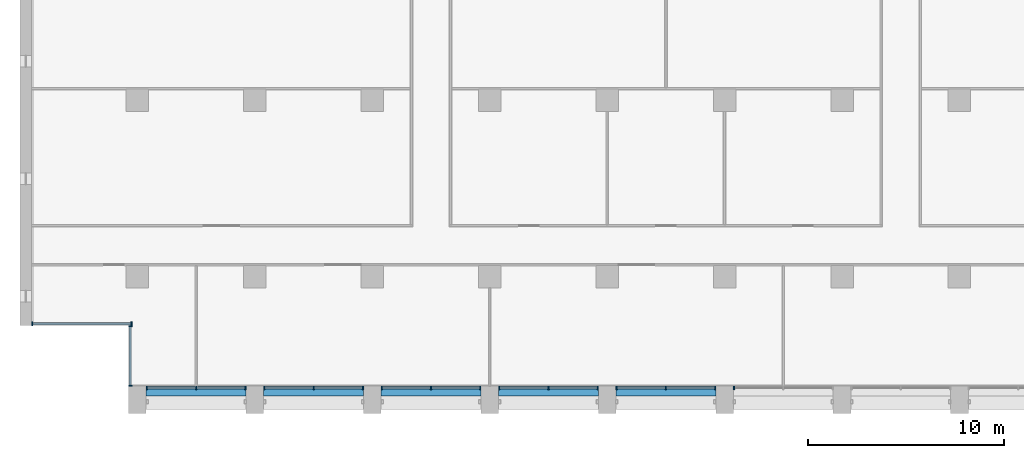
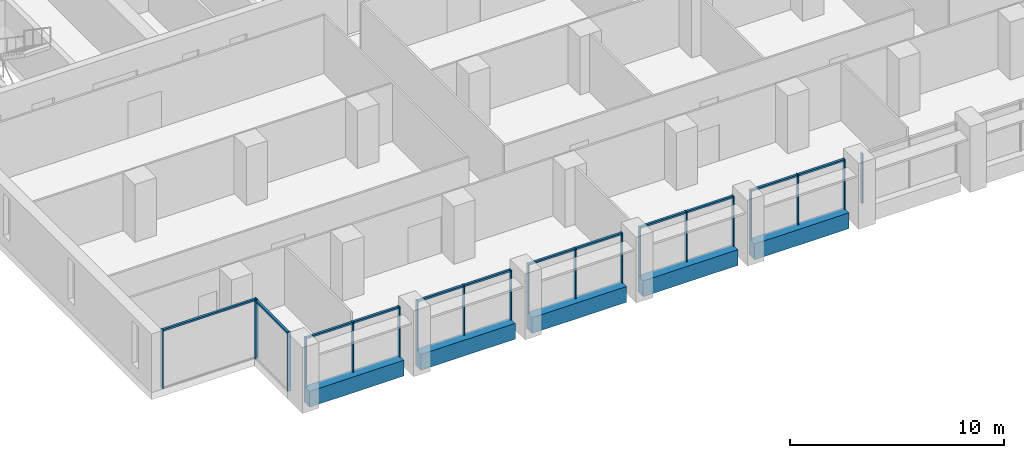
# One storey, part 2 of 17: 32 members, 5 beams, 8 elements without a shape of their own.
"""IFC4 building model written with IfcOpenShell, lengths in metres."""

from ifc_helpers import new_model, si_unit, direction, frame, origin, origin_2d, place, context, subcontext, project, spatial, rectangle, extrude, material, material_profile, profile_set, type_object, element, aggregate, save


model = new_model("IFC4")

# Units and contexts
model_context = context("Model", 3, precision=1e-05, world=origin(), true_north=direction((0.0, 1.0)))
body_context = subcontext(model_context, "Body", "Model", "MODEL_VIEW")
ifc_project = project(units=[si_unit("LENGTHUNIT", "METRE"), si_unit("AREAUNIT", "SQUARE_METRE"), si_unit("VOLUMEUNIT", "CUBIC_METRE"), si_unit("PLANEANGLEUNIT", "RADIAN"), si_unit("MASSUNIT", "GRAM", prefix="KILO")], contexts=[model_context])

# Site, building, storey
site_placement = place(None, origin())
site = spatial("IfcSite", under=ifc_project, at=site_placement, CompositionType="ELEMENT")
building_placement = place(site_placement, origin())
building = spatial("IfcBuilding", under=site, at=building_placement, Name="Calvaro Tower", CompositionType="ELEMENT")
storey_placement = place(building_placement, frame((0.0, 0.0, 185.5)))
storey = spatial("IfcBuildingStorey", under=building, at=storey_placement, Name="L46", CompositionType="ELEMENT", Elevation=185.5)

# Curtain wall, members
ifc_material_1 = material(Name="Anodised aluminium", Category="aluminium")
curtain_wall_type = type_object("IfcCurtainWallType", Name="Office curtain wall, upper zone", PredefinedType="NOTDEFINED", material=ifc_material_1)
curtain_wall_1_placement = place(storey_placement, origin())
curtain_wall_1 = element("IfcCurtainWall", 1, at=curtain_wall_1_placement, inside=storey, type_object=curtain_wall_type, Name="CW3 south curtain wall", PredefinedType="NOTDEFINED")
ifc_material_2 = material(Name="Anodised aluminium", Category="aluminium")
ifc_material_profile_1 = material_profile(ifc_material_2, rectangle(XDim=0.179931640625, YDim=0.06005859375, at=origin_2d()), Name="Mullion S3 60 x 180")
ifc_profile_set_1 = profile_set([ifc_material_profile_1], Name="Anodised aluminium")
member_type_1 = type_object("IfcMemberType", Name="Mullion S3 60 x 180", PredefinedType="MULLION", material=ifc_profile_set_1)
member_1_placement = place(storey_placement, frame((12.47998046875, 4.31005859375, 0.0), z_axis=(0.0, 0.0, 1.0), x_axis=(0.0, 1.0, 0.0)))
member_1 = element("IfcMember", 2, at=member_1_placement, type_object=member_type_1, Name="CW3 mullion 1", PredefinedType="MULLION", context=body_context, shape_type="SweptSolid", body=[
    extrude(rectangle(XDim=0.179931640625, YDim=0.06005859375, at=origin_2d()), origin(), (0.0, 0.0, 1.0), 2.85009765625),
])
member_2_placement = place(storey_placement, frame((15.0, 4.31005859375, 0.0), z_axis=(0.0, 0.0, 1.0), x_axis=(0.0, 1.0, 0.0)))
member_2 = element("IfcMember", 3, at=member_2_placement, type_object=member_type_1, Name="CW3 mullion 2", PredefinedType="MULLION", context=body_context, shape_type="SweptSolid", body=[
    extrude(rectangle(XDim=0.179931640625, YDim=0.06005859375, at=origin_2d()), origin(), (0.0, 0.0, 1.0), 2.85009765625),
])
member_3_placement = place(storey_placement, frame((17.52001953125, 4.31005859375, 0.0), z_axis=(0.0, 0.0, 1.0), x_axis=(0.0, 1.0, 0.0)))
member_3 = element("IfcMember", 4, at=member_3_placement, type_object=member_type_1, Name="CW3 mullion 3", PredefinedType="MULLION", context=body_context, shape_type="SweptSolid", body=[
    extrude(rectangle(XDim=0.179931640625, YDim=0.06005859375, at=origin_2d()), origin(), (0.0, 0.0, 1.0), 2.85009765625),
])

curtain_wall_2_placement = place(storey_placement, origin())
curtain_wall_2 = element("IfcCurtainWall", 5, at=curtain_wall_2_placement, inside=storey, type_object=curtain_wall_type, Name="CW3 south curtain wall", PredefinedType="NOTDEFINED")
member_4_placement = place(storey_placement, frame((18.47998046875, 4.31005859375, 0.0), z_axis=(0.0, 0.0, 1.0), x_axis=(0.0, 1.0, 0.0)))
member_4 = element("IfcMember", 6, at=member_4_placement, type_object=member_type_1, Name="CW3 mullion 1", PredefinedType="MULLION", context=body_context, shape_type="SweptSolid", body=[
    extrude(rectangle(XDim=0.179931640625, YDim=0.06005859375, at=origin_2d()), origin(), (0.0, 0.0, 1.0), 2.85009765625),
])
member_5_placement = place(storey_placement, frame((21.0, 4.31005859375, 0.0), z_axis=(0.0, 0.0, 1.0), x_axis=(0.0, 1.0, 0.0)))
member_5 = element("IfcMember", 7, at=member_5_placement, type_object=member_type_1, Name="CW3 mullion 2", PredefinedType="MULLION", context=body_context, shape_type="SweptSolid", body=[
    extrude(rectangle(XDim=0.179931640625, YDim=0.06005859375, at=origin_2d()), origin(), (0.0, 0.0, 1.0), 2.85009765625),
])
member_6_placement = place(storey_placement, frame((23.52001953125, 4.31005859375, 0.0), z_axis=(0.0, 0.0, 1.0), x_axis=(0.0, 1.0, 0.0)))
member_6 = element("IfcMember", 8, at=member_6_placement, type_object=member_type_1, Name="CW3 mullion 3", PredefinedType="MULLION", context=body_context, shape_type="SweptSolid", body=[
    extrude(rectangle(XDim=0.179931640625, YDim=0.06005859375, at=origin_2d()), origin(), (0.0, 0.0, 1.0), 2.85009765625),
])

curtain_wall_3_placement = place(storey_placement, origin())
curtain_wall_3 = element("IfcCurtainWall", 9, at=curtain_wall_3_placement, inside=storey, type_object=curtain_wall_type, Name="CW3 south curtain wall", PredefinedType="NOTDEFINED")
member_7_placement = place(storey_placement, frame((24.47998046875, 4.31005859375, 0.0), z_axis=(0.0, 0.0, 1.0), x_axis=(0.0, 1.0, 0.0)))
member_7 = element("IfcMember", 10, at=member_7_placement, type_object=member_type_1, Name="CW3 mullion 1", PredefinedType="MULLION", context=body_context, shape_type="SweptSolid", body=[
    extrude(rectangle(XDim=0.179931640625, YDim=0.06005859375, at=origin_2d()), origin(), (0.0, 0.0, 1.0), 2.85009765625),
])
member_8_placement = place(storey_placement, frame((27.0, 4.31005859375, 0.0), z_axis=(0.0, 0.0, 1.0), x_axis=(0.0, 1.0, 0.0)))
member_8 = element("IfcMember", 11, at=member_8_placement, type_object=member_type_1, Name="CW3 mullion 2", PredefinedType="MULLION", context=body_context, shape_type="SweptSolid", body=[
    extrude(rectangle(XDim=0.179931640625, YDim=0.06005859375, at=origin_2d()), origin(), (0.0, 0.0, 1.0), 2.85009765625),
])
member_9_placement = place(storey_placement, frame((29.52001953125, 4.31005859375, 0.0), z_axis=(0.0, 0.0, 1.0), x_axis=(0.0, 1.0, 0.0)))
member_9 = element("IfcMember", 12, at=member_9_placement, type_object=member_type_1, Name="CW3 mullion 3", PredefinedType="MULLION", context=body_context, shape_type="SweptSolid", body=[
    extrude(rectangle(XDim=0.179931640625, YDim=0.06005859375, at=origin_2d()), origin(), (0.0, 0.0, 1.0), 2.85009765625),
])

curtain_wall_4_placement = place(storey_placement, origin())
curtain_wall_4 = element("IfcCurtainWall", 13, at=curtain_wall_4_placement, inside=storey, type_object=curtain_wall_type, Name="CW3 south curtain wall", PredefinedType="NOTDEFINED")
member_10_placement = place(storey_placement, frame((30.47998046875, 4.31005859375, 0.0), z_axis=(0.0, 0.0, 1.0), x_axis=(0.0, 1.0, 0.0)))
member_10 = element("IfcMember", 14, at=member_10_placement, type_object=member_type_1, Name="CW3 mullion 1", PredefinedType="MULLION", context=body_context, shape_type="SweptSolid", body=[
    extrude(rectangle(XDim=0.179931640625, YDim=0.06005859375, at=origin_2d()), origin(), (0.0, 0.0, 1.0), 2.85009765625),
])
member_11_placement = place(storey_placement, frame((33.0, 4.31005859375, 0.0), z_axis=(0.0, 0.0, 1.0), x_axis=(0.0, 1.0, 0.0)))
member_11 = element("IfcMember", 15, at=member_11_placement, type_object=member_type_1, Name="CW3 mullion 2", PredefinedType="MULLION", context=body_context, shape_type="SweptSolid", body=[
    extrude(rectangle(XDim=0.179931640625, YDim=0.06005859375, at=origin_2d()), origin(), (0.0, 0.0, 1.0), 2.85009765625),
])
member_12_placement = place(storey_placement, frame((35.52001953125, 4.31005859375, 0.0), z_axis=(0.0, 0.0, 1.0), x_axis=(0.0, 1.0, 0.0)))
member_12 = element("IfcMember", 16, at=member_12_placement, type_object=member_type_1, Name="CW3 mullion 3", PredefinedType="MULLION", context=body_context, shape_type="SweptSolid", body=[
    extrude(rectangle(XDim=0.179931640625, YDim=0.06005859375, at=origin_2d()), origin(), (0.0, 0.0, 1.0), 2.85009765625),
])

curtain_wall_5_placement = place(storey_placement, origin())
curtain_wall_5 = element("IfcCurtainWall", 17, at=curtain_wall_5_placement, inside=storey, type_object=curtain_wall_type, Name="CW3 south curtain wall", PredefinedType="NOTDEFINED")
member_13_placement = place(storey_placement, frame((36.47998046875, 4.31005859375, 0.0), z_axis=(0.0, 0.0, 1.0), x_axis=(0.0, 1.0, 0.0)))
member_13 = element("IfcMember", 18, at=member_13_placement, type_object=member_type_1, Name="CW3 mullion 1", PredefinedType="MULLION", context=body_context, shape_type="SweptSolid", body=[
    extrude(rectangle(XDim=0.179931640625, YDim=0.06005859375, at=origin_2d()), origin(), (0.0, 0.0, 1.0), 2.85009765625),
])
member_14_placement = place(storey_placement, frame((39.0, 4.31005859375, 0.0), z_axis=(0.0, 0.0, 1.0), x_axis=(0.0, 1.0, 0.0)))
member_14 = element("IfcMember", 19, at=member_14_placement, type_object=member_type_1, Name="CW3 mullion 2", PredefinedType="MULLION", context=body_context, shape_type="SweptSolid", body=[
    extrude(rectangle(XDim=0.179931640625, YDim=0.06005859375, at=origin_2d()), origin(), (0.0, 0.0, 1.0), 2.85009765625),
])
member_15_placement = place(storey_placement, frame((41.52001953125, 4.31005859375, 0.0), z_axis=(0.0, 0.0, 1.0), x_axis=(0.0, 1.0, 0.0)))
member_15 = element("IfcMember", 20, at=member_15_placement, type_object=member_type_1, Name="CW3 mullion 3", PredefinedType="MULLION", context=body_context, shape_type="SweptSolid", body=[
    extrude(rectangle(XDim=0.179931640625, YDim=0.06005859375, at=origin_2d()), origin(), (0.0, 0.0, 1.0), 2.85009765625),
])

# Curtain wall, member
curtain_wall_6_placement = place(storey_placement, origin())
curtain_wall_6 = element("IfcCurtainWall", 21, at=curtain_wall_6_placement, inside=storey, type_object=curtain_wall_type, Name="CW3 south curtain wall", PredefinedType="NOTDEFINED")
member_16_placement = place(storey_placement, frame((42.47998046875, 4.31005859375, 0.0), z_axis=(0.0, 0.0, 1.0), x_axis=(0.0, 1.0, 0.0)))
member_16 = element("IfcMember", 22, at=member_16_placement, type_object=member_type_1, Name="CW3 mullion 1", PredefinedType="MULLION", context=body_context, shape_type="SweptSolid", body=[
    extrude(rectangle(XDim=0.179931640625, YDim=0.06005859375, at=origin_2d()), origin(), (0.0, 0.0, 1.0), 2.85009765625),
])
aggregate(curtain_wall_6, [member_16])

# Curtain wall, members
curtain_wall_7_placement = place(storey_placement, origin())
curtain_wall_7 = element("IfcCurtainWall", 23, at=curtain_wall_7_placement, inside=storey, type_object=curtain_wall_type, Name="CW3 corner curtain wall", PredefinedType="NOTDEFINED")
member_17_placement = place(storey_placement, frame((11.639892578125, 4.429931640625, 0.0), z_axis=(0.0, 0.0, 1.0), x_axis=(-1.0, 0.0, 0.0)))
member_17 = element("IfcMember", 24, at=member_17_placement, type_object=member_type_1, Name="CW3 mullion 1", PredefinedType="MULLION", context=body_context, shape_type="SweptSolid", body=[
    extrude(rectangle(XDim=0.179931640625, YDim=0.06005859375, at=origin_2d()), origin(), (0.0, 0.0, 1.0), 3.35009765625),
])
member_18_placement = place(storey_placement, frame((11.639892578125, 7.469970703125, 0.0), z_axis=(0.0, 0.0, 1.0), x_axis=(-1.0, 0.0, 0.0)))
member_18 = element("IfcMember", 25, at=member_18_placement, type_object=member_type_1, Name="CW3 mullion 2", PredefinedType="MULLION", context=body_context, shape_type="SweptSolid", body=[
    extrude(rectangle(XDim=0.179931640625, YDim=0.06005859375, at=origin_2d()), origin(), (0.0, 0.0, 1.0), 3.35009765625),
])

curtain_wall_8_placement = place(storey_placement, origin())
curtain_wall_8 = element("IfcCurtainWall", 26, at=curtain_wall_8_placement, inside=storey, type_object=curtain_wall_type, Name="CW3 corner curtain wall", PredefinedType="NOTDEFINED")
member_19_placement = place(storey_placement, frame((6.6298828125, 7.590087890625, 0.0), z_axis=(0.0, 0.0, 1.0), x_axis=(0.0, 1.0, 0.0)))
member_19 = element("IfcMember", 27, at=member_19_placement, type_object=member_type_1, Name="CW3 mullion 1", PredefinedType="MULLION", context=body_context, shape_type="SweptSolid", body=[
    extrude(rectangle(XDim=0.179931640625, YDim=0.06005859375, at=origin_2d()), origin(), (0.0, 0.0, 1.0), 3.35009765625),
])
member_20_placement = place(storey_placement, frame((11.699951171875, 7.590087890625, 0.0), z_axis=(0.0, 0.0, 1.0), x_axis=(0.0, 1.0, 0.0)))
member_20 = element("IfcMember", 28, at=member_20_placement, type_object=member_type_1, Name="CW3 mullion 2", PredefinedType="MULLION", context=body_context, shape_type="SweptSolid", body=[
    extrude(rectangle(XDim=0.179931640625, YDim=0.06005859375, at=origin_2d()), origin(), (0.0, 0.0, 1.0), 3.35009765625),
])

# Beams
ifc_material_3 = material(Name="Concrete C50/60 precast", Category="concrete")
ifc_material_profile_2 = material_profile(ifc_material_3, rectangle(XDim=0.5, YDim=0.89990234375, at=origin_2d()), Name="RC 500x900")
ifc_profile_set_2 = profile_set([ifc_material_profile_2], Name="Concrete C50/60 precast")
beam_type = type_object("IfcBeamType", Name="Spandrel beam 500x900 C50/60", PredefinedType="SPANDREL", material=ifc_profile_set_2)
for number, where, z_axis, x_axis, name in (
    (29, (12.449951171875, 4.14990234375, -0.449951171875), (1.0, 0.0, 0.0), (0.0, 1.0, 0.0), "Spandrel beam"),
    (30, (18.449951171875, 4.14990234375, -0.449951171875), (1.0, 0.0, 0.0), (0.0, 1.0, 0.0), "Spandrel beam"),
    (31, (24.449951171875, 4.14990234375, -0.449951171875), (1.0, 0.0, 0.0), (0.0, 1.0, 0.0), "Spandrel beam"),
    (32, (30.449951171875, 4.14990234375, -0.449951171875), (1.0, 0.0, 0.0), (0.0, 1.0, 0.0), "Spandrel beam"),
    (33, (36.449951171875, 4.14990234375, -0.449951171875), (1.0, 0.0, 0.0), (0.0, 1.0, 0.0), "Spandrel beam"),
):
    element("IfcBeam", number, at=place(storey_placement, frame(where, z_axis=z_axis, x_axis=x_axis)), inside=storey, type_object=beam_type, Name=name, PredefinedType="SPANDREL", context=body_context, shape_type="SweptSolid", body=[
        extrude(rectangle(XDim=0.5, YDim=0.89990234375, at=origin_2d()), origin(), (0.0, 0.0, 1.0), 5.10009765625),
    ])

# Member
ifc_material_4 = material(Name="Anodised aluminium", Category="aluminium")
ifc_material_profile_3 = material_profile(ifc_material_4, rectangle(XDim=0.1201171875, YDim=0.10009765625, at=origin_2d()), Name="Transom S3 100 x 120")
ifc_profile_set_3 = profile_set([ifc_material_profile_3], Name="Anodised aluminium")
member_type_2 = type_object("IfcMemberType", Name="Transom S3 100 x 120", PredefinedType="USERDEFINED", material=ifc_profile_set_3)
member_21_placement = place(storey_placement, frame((12.510009765625, 4.31005859375, 2.800048828125), z_axis=(1.0, 0.0, 0.0), x_axis=(0.0, 1.0, 0.0)))
member_21 = element("IfcMember", 34, at=member_21_placement, type_object=member_type_2, Name="CW3 transom 1.1", ObjectType="TRANSOM", PredefinedType="USERDEFINED", context=body_context, shape_type="SweptSolid", body=[
    extrude(rectangle(XDim=0.1201171875, YDim=0.10009765625, at=origin_2d()), origin(), (0.0, 0.0, 1.0), 2.4599609375),
])

member_22_placement = place(storey_placement, frame((15.030029296875, 4.31005859375, 2.800048828125), z_axis=(1.0, 0.0, 0.0), x_axis=(0.0, 1.0, 0.0)))
member_22 = element("IfcMember", 35, at=member_22_placement, type_object=member_type_2, Name="CW3 transom 2.1", ObjectType="TRANSOM", PredefinedType="USERDEFINED", context=body_context, shape_type="SweptSolid", body=[
    extrude(rectangle(XDim=0.1201171875, YDim=0.10009765625, at=origin_2d()), origin(), (0.0, 0.0, 1.0), 2.4599609375),
])

aggregate(curtain_wall_1, [member_1, member_2, member_3, member_21, member_22])

member_23_placement = place(storey_placement, frame((18.510009765625, 4.31005859375, 2.800048828125), z_axis=(1.0, 0.0, 0.0), x_axis=(0.0, 1.0, 0.0)))
member_23 = element("IfcMember", 36, at=member_23_placement, type_object=member_type_2, Name="CW3 transom 1.1", ObjectType="TRANSOM", PredefinedType="USERDEFINED", context=body_context, shape_type="SweptSolid", body=[
    extrude(rectangle(XDim=0.1201171875, YDim=0.10009765625, at=origin_2d()), origin(), (0.0, 0.0, 1.0), 2.4599609375),
])

member_24_placement = place(storey_placement, frame((21.030029296875, 4.31005859375, 2.800048828125), z_axis=(1.0, 0.0, 0.0), x_axis=(0.0, 1.0, 0.0)))
member_24 = element("IfcMember", 37, at=member_24_placement, type_object=member_type_2, Name="CW3 transom 2.1", ObjectType="TRANSOM", PredefinedType="USERDEFINED", context=body_context, shape_type="SweptSolid", body=[
    extrude(rectangle(XDim=0.1201171875, YDim=0.10009765625, at=origin_2d()), origin(), (0.0, 0.0, 1.0), 2.4599609375),
])

aggregate(curtain_wall_2, [member_4, member_5, member_6, member_23, member_24])

member_25_placement = place(storey_placement, frame((24.510009765625, 4.31005859375, 2.800048828125), z_axis=(1.0, 0.0, 0.0), x_axis=(0.0, 1.0, 0.0)))
member_25 = element("IfcMember", 38, at=member_25_placement, type_object=member_type_2, Name="CW3 transom 1.1", ObjectType="TRANSOM", PredefinedType="USERDEFINED", context=body_context, shape_type="SweptSolid", body=[
    extrude(rectangle(XDim=0.1201171875, YDim=0.10009765625, at=origin_2d()), origin(), (0.0, 0.0, 1.0), 2.4599609375),
])

member_26_placement = place(storey_placement, frame((27.030029296875, 4.31005859375, 2.800048828125), z_axis=(1.0, 0.0, 0.0), x_axis=(0.0, 1.0, 0.0)))
member_26 = element("IfcMember", 39, at=member_26_placement, type_object=member_type_2, Name="CW3 transom 2.1", ObjectType="TRANSOM", PredefinedType="USERDEFINED", context=body_context, shape_type="SweptSolid", body=[
    extrude(rectangle(XDim=0.1201171875, YDim=0.10009765625, at=origin_2d()), origin(), (0.0, 0.0, 1.0), 2.4599609375),
])

aggregate(curtain_wall_3, [member_7, member_8, member_9, member_25, member_26])

member_27_placement = place(storey_placement, frame((30.510009765625, 4.31005859375, 2.800048828125), z_axis=(1.0, 0.0, 0.0), x_axis=(0.0, 1.0, 0.0)))
member_27 = element("IfcMember", 40, at=member_27_placement, type_object=member_type_2, Name="CW3 transom 1.1", ObjectType="TRANSOM", PredefinedType="USERDEFINED", context=body_context, shape_type="SweptSolid", body=[
    extrude(rectangle(XDim=0.1201171875, YDim=0.10009765625, at=origin_2d()), origin(), (0.0, 0.0, 1.0), 2.4599609375),
])

member_28_placement = place(storey_placement, frame((33.030029296875, 4.31005859375, 2.800048828125), z_axis=(1.0, 0.0, 0.0), x_axis=(0.0, 1.0, 0.0)))
member_28 = element("IfcMember", 41, at=member_28_placement, type_object=member_type_2, Name="CW3 transom 2.1", ObjectType="TRANSOM", PredefinedType="USERDEFINED", context=body_context, shape_type="SweptSolid", body=[
    extrude(rectangle(XDim=0.1201171875, YDim=0.10009765625, at=origin_2d()), origin(), (0.0, 0.0, 1.0), 2.4599609375),
])

aggregate(curtain_wall_4, [member_10, member_11, member_12, member_27, member_28])

member_29_placement = place(storey_placement, frame((36.510009765625, 4.31005859375, 2.800048828125), z_axis=(1.0, 0.0, 0.0), x_axis=(0.0, 1.0, 0.0)))
member_29 = element("IfcMember", 42, at=member_29_placement, type_object=member_type_2, Name="CW3 transom 1.1", ObjectType="TRANSOM", PredefinedType="USERDEFINED", context=body_context, shape_type="SweptSolid", body=[
    extrude(rectangle(XDim=0.1201171875, YDim=0.10009765625, at=origin_2d()), origin(), (0.0, 0.0, 1.0), 2.4599609375),
])

member_30_placement = place(storey_placement, frame((39.030029296875, 4.31005859375, 2.800048828125), z_axis=(1.0, 0.0, 0.0), x_axis=(0.0, 1.0, 0.0)))
member_30 = element("IfcMember", 43, at=member_30_placement, type_object=member_type_2, Name="CW3 transom 2.1", ObjectType="TRANSOM", PredefinedType="USERDEFINED", context=body_context, shape_type="SweptSolid", body=[
    extrude(rectangle(XDim=0.1201171875, YDim=0.10009765625, at=origin_2d()), origin(), (0.0, 0.0, 1.0), 2.4599609375),
])

aggregate(curtain_wall_5, [member_13, member_14, member_15, member_29, member_30])

member_31_placement = place(storey_placement, frame((11.639892578125, 4.4599609375, 3.300048828125), z_axis=(0.0, 1.0, 0.0), x_axis=(-1.0, 0.0, 0.0)))
member_31 = element("IfcMember", 44, at=member_31_placement, type_object=member_type_2, Name="CW3 transom 1.1", ObjectType="TRANSOM", PredefinedType="USERDEFINED", context=body_context, shape_type="SweptSolid", body=[
    extrude(rectangle(XDim=0.1201171875, YDim=0.10009765625, at=origin_2d()), origin(), (0.0, 0.0, 1.0), 2.97998046875),
])

aggregate(curtain_wall_7, [member_17, member_18, member_31])

member_32_placement = place(storey_placement, frame((6.659912109375, 7.590087890625, 3.300048828125), z_axis=(1.0, 0.0, 0.0), x_axis=(0.0, 1.0, 0.0)))
member_32 = element("IfcMember", 45, at=member_32_placement, type_object=member_type_2, Name="CW3 transom 1.1", ObjectType="TRANSOM", PredefinedType="USERDEFINED", context=body_context, shape_type="SweptSolid", body=[
    extrude(rectangle(XDim=0.1201171875, YDim=0.10009765625, at=origin_2d()), origin(), (0.0, 0.0, 1.0), 5.010009765625),
])

aggregate(curtain_wall_8, [member_19, member_20, member_32])

save(model, "model.ifc")
